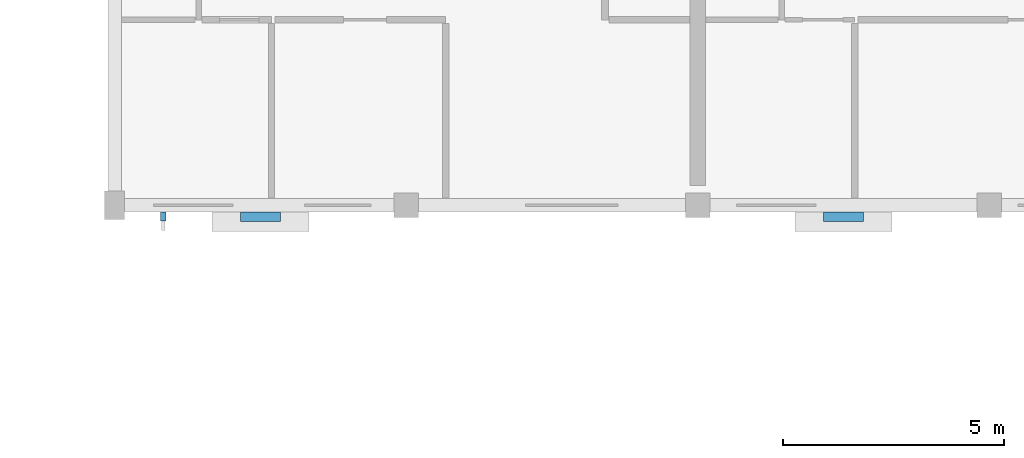
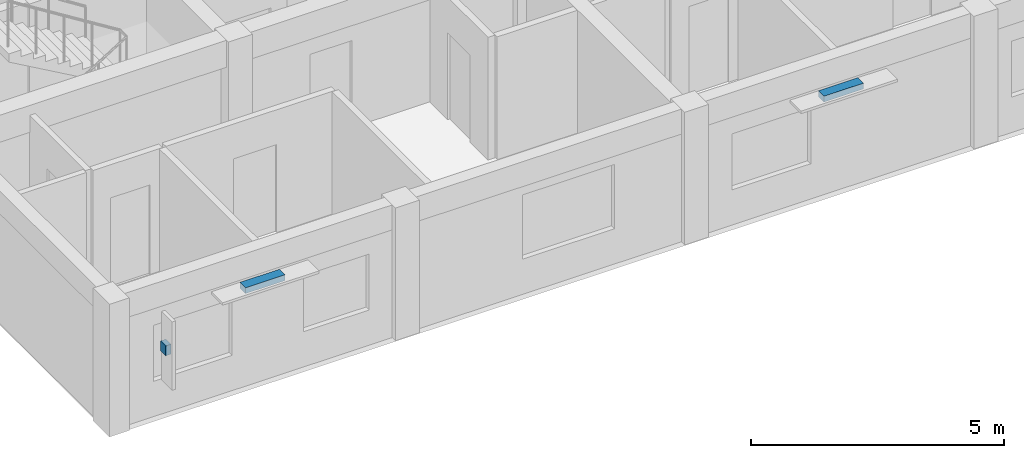
# One storey, part 45 of 52: 3 discrete accessories.
"""IFC4 building model written with IfcOpenShell, lengths in metres."""

from ifc_helpers import new_model, si_unit, direction, frame, origin, origin_2d, place, context, subcontext, project, spatial, rectangle, extrude, material, type_object, element, save


model = new_model("IFC4")

# Units and contexts
model_context = context("Model", 3, precision=1e-05, world=origin(), true_north=direction((0.0, 1.0)))
body_context = subcontext(model_context, "Body", "Model", "MODEL_VIEW")
ifc_project = project(units=[si_unit("LENGTHUNIT", "METRE"), si_unit("AREAUNIT", "SQUARE_METRE"), si_unit("VOLUMEUNIT", "CUBIC_METRE"), si_unit("PLANEANGLEUNIT", "RADIAN"), si_unit("MASSUNIT", "GRAM", prefix="KILO")], contexts=[model_context])

# Site, building, storey
site_placement = place(None, origin())
site = spatial("IfcSite", under=ifc_project, at=site_placement, CompositionType="ELEMENT")
building_placement = place(site_placement, origin())
building = spatial("IfcBuilding", under=site, at=building_placement, Name="Kernevlak Ridge Housing Community", CompositionType="ELEMENT")
storey_placement = place(building_placement, frame((0.0, 0.0, 11.60009765625)))
storey = spatial("IfcBuildingStorey", under=building, at=storey_placement, Name="L03", CompositionType="ELEMENT", Elevation=11.60009765625)

# Discrete accessories
ifc_material = material(Name="Steel S355 galvanised", Category="steel")
discrete_accessory_type = type_object("IfcDiscreteAccessoryType", Name="BK-01", PredefinedType="BRACKET", material=ifc_material)
discrete_accessory_1_placement = place(storey_placement, frame((122.699951171875, 82.340087890625, 2.41015625), z_axis=(0.0, 0.0, 1.0), x_axis=(1.0, 0.0, 0.0)))
element("IfcDiscreteAccessory", 1, at=discrete_accessory_1_placement, inside=storey, type_object=discrete_accessory_type, Name="Sunshade steel bracket 17", PredefinedType="BRACKET", context=body_context, shape_type="SweptSolid", body=[
    extrude(rectangle(XDim=0.89990234375, YDim=0.219970703125, at=origin_2d()), origin(), (0.0, 0.0, 1.0), 0.139892578125),
])
discrete_accessory_2_placement = place(storey_placement, frame((120.5, 82.35009765625, 1.52978515625), z_axis=(0.0, 0.0, 1.0), x_axis=(1.0, 0.0, 0.0)))
element("IfcDiscreteAccessory", 2, at=discrete_accessory_2_placement, inside=storey, type_object=discrete_accessory_type, Name="Vertical fin fixing bracket 17", PredefinedType="BRACKET", context=body_context, shape_type="SweptSolid", body=[
    extrude(rectangle(XDim=0.1201171875, YDim=0.199951171875, at=origin_2d()), origin(), (0.0, 0.0, 1.0), 0.239990234375),
])
discrete_accessory_3_placement = place(storey_placement, frame((135.89990234375, 82.340087890625, 2.41015625), z_axis=(0.0, 0.0, 1.0), x_axis=(1.0, 0.0, 0.0)))
element("IfcDiscreteAccessory", 3, at=discrete_accessory_3_placement, inside=storey, type_object=discrete_accessory_type, Name="Sunshade steel bracket 18", PredefinedType="BRACKET", context=body_context, shape_type="SweptSolid", body=[
    extrude(rectangle(XDim=0.89990234375, YDim=0.219970703125, at=origin_2d()), origin(), (0.0, 0.0, 1.0), 0.139892578125),
])

save(model, "model.ifc")
